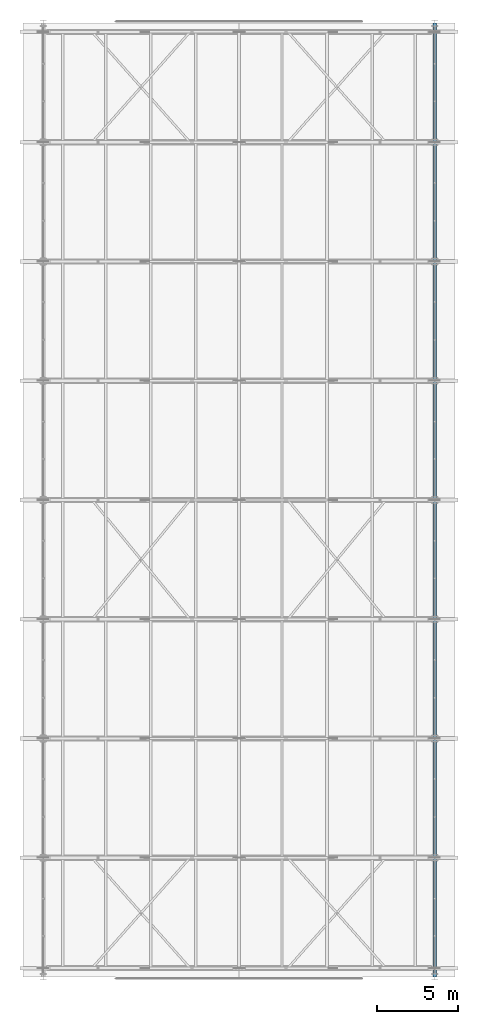
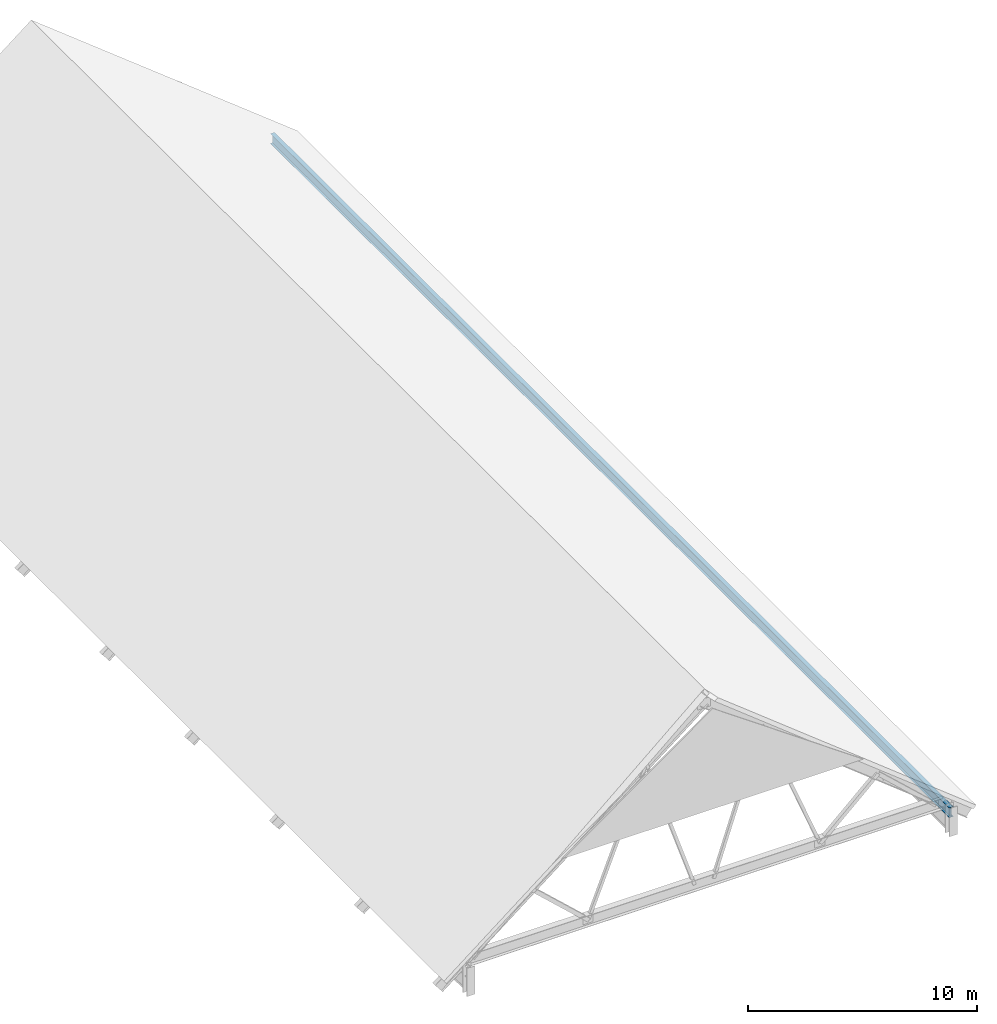
# One storey, part 21 of 44: 1 beam.
"""IFC4 building model written with IfcOpenShell, lengths in metres."""

from ifc_helpers import new_model, si_unit, direction, frame, origin, origin_2d, place, context, subcontext, project, spatial, i_section, extrude, material, material_profile, profile_set, type_object, element, save


model = new_model("IFC4")

# Units and contexts
model_context = context("Model", 3, precision=1e-05, world=origin(), true_north=direction((0.0, 1.0)))
body_context = subcontext(model_context, "Body", "Model", "MODEL_VIEW")
ifc_project = project(units=[si_unit("LENGTHUNIT", "METRE"), si_unit("AREAUNIT", "SQUARE_METRE"), si_unit("VOLUMEUNIT", "CUBIC_METRE"), si_unit("PLANEANGLEUNIT", "RADIAN"), si_unit("MASSUNIT", "GRAM", prefix="KILO")], contexts=[model_context])

# Site, building, storey
site_placement = place(None, origin())
site = spatial("IfcSite", under=ifc_project, at=site_placement, CompositionType="ELEMENT")
building_placement = place(site_placement, origin())
building = spatial("IfcBuilding", under=site, at=building_placement, Name="Cimatlan Art Gallery", CompositionType="ELEMENT")
storey_placement = place(building_placement, frame((0.0, 0.0, 26.39990234375)))
storey = spatial("IfcBuildingStorey", under=building, at=storey_placement, Name="Roof", CompositionType="ELEMENT", Elevation=26.39990234375)

# Beam
ifc_material = material(Name="Steel ASTM A992 Grade 50", Category="steel")
ifc_material_profile = material_profile(ifc_material, i_section(OverallWidth=0.2099609375, OverallDepth=0.532958984375, WebThickness=0.01025390625, FlangeThickness=0.015625, at=origin_2d()), Name="W21X62")
ifc_profile_set = profile_set([ifc_material_profile], Name="Steel ASTM A992 Grade 50")
beam_type = type_object("IfcBeamType", Name="BM-STL-W21X62", PredefinedType="BEAM", material=ifc_profile_set)
beam_placement = place(storey_placement, frame((99.199951171875, 23.89990234375, 1.130126953125), z_axis=(0.0, 1.0, 0.0), x_axis=(-1.0, 0.0, 0.0)))
element("IfcBeam", 1, at=beam_placement, inside=storey, type_object=beam_type, Name="BM-CRW-EAVE-E", PredefinedType="BEAM", context=body_context, shape_type="SweptSolid", body=[
    extrude(i_section(OverallWidth=0.2099609375, OverallDepth=0.532958984375, WebThickness=0.01025390625, FlangeThickness=0.015625, at=origin_2d()), origin(), (0.0, 0.0, 1.0), 59.2001953125),
])

save(model, "model.ifc")
